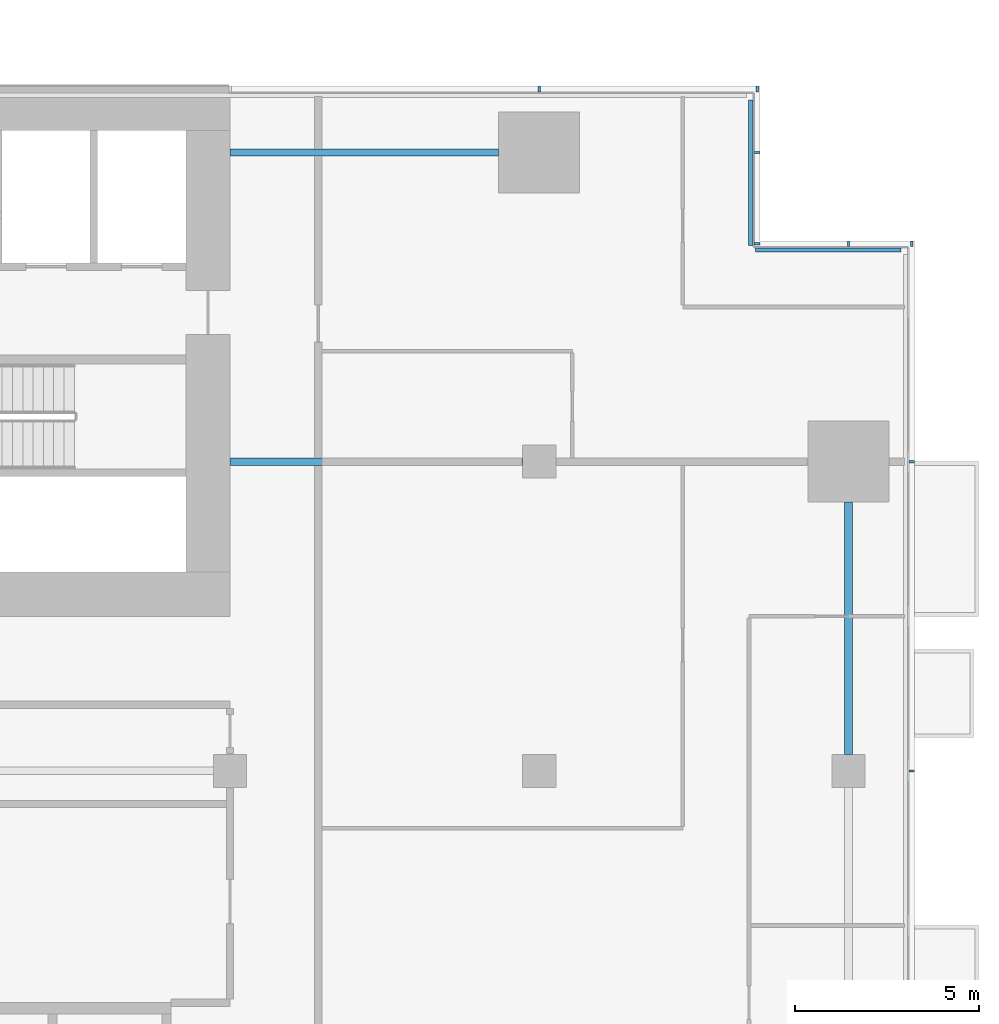
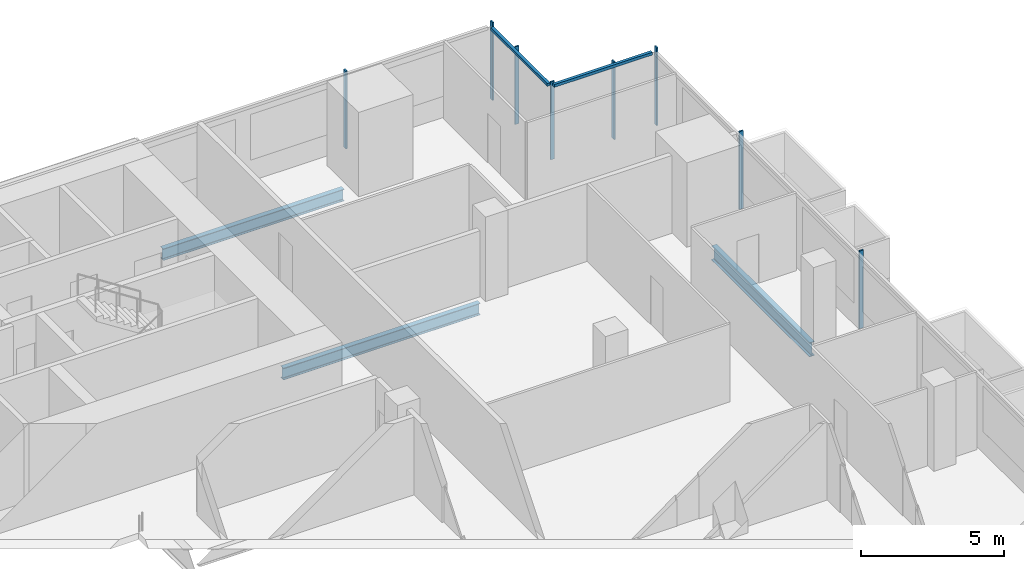
# One storey, part 13 of 27: 10 members, 3 beams, 4 elements without a shape of their own.
"""IFC4 building model written with IfcOpenShell, lengths in metres."""

from ifc_helpers import new_model, si_unit, direction, frame, origin, origin_2d, place, context, subcontext, project, spatial, rectangle, i_section, extrude, material, material_profile, profile_set, type_object, element, aggregate, save


model = new_model("IFC4")

# Units and contexts
model_context = context("Model", 3, precision=1e-05, world=origin(), true_north=direction((0.0, 1.0)))
body_context = subcontext(model_context, "Body", "Model", "MODEL_VIEW")
ifc_project = project(units=[si_unit("LENGTHUNIT", "METRE"), si_unit("AREAUNIT", "SQUARE_METRE"), si_unit("VOLUMEUNIT", "CUBIC_METRE"), si_unit("PLANEANGLEUNIT", "RADIAN"), si_unit("MASSUNIT", "GRAM", prefix="KILO")], contexts=[model_context])

# Site, building, storey
site_placement = place(None, origin())
site = spatial("IfcSite", under=ifc_project, at=site_placement, CompositionType="ELEMENT")
building_placement = place(site_placement, origin())
building = spatial("IfcBuilding", under=site, at=building_placement, Name="Saffron Gate Tower", CompositionType="ELEMENT")
storey_placement = place(building_placement, frame((0.0, 0.0, 44.39990234375)))
storey = spatial("IfcBuildingStorey", under=building, at=storey_placement, Name="L09", CompositionType="ELEMENT", Elevation=44.39990234375)

# Beams
ifc_material_1 = material(Name="Structural steel S355", Category="steel")
ifc_material_profile_1 = material_profile(ifc_material_1, i_section(OverallWidth=0.199951171875, OverallDepth=0.5, WebThickness=0.01025390625, FlangeThickness=0.01611328125, FilletRadius=0.02099609375, at=origin_2d()))
ifc_profile_set_1 = profile_set([ifc_material_profile_1], Name="Structural steel S355")
beam_type_1 = type_object("IfcBeamType", Name="B10 IPE 500", PredefinedType="BEAM", material=ifc_profile_set_1)
beam_1_placement = place(storey_placement, frame((116.550048828125, 65.39990234375, -0.52978515625), z_axis=(-1.0, 0.0, 0.0), x_axis=(0.0, -1.0, 0.0)))
element("IfcBeam", 1, at=beam_1_placement, inside=storey, type_object=beam_type_1, Name="B10 CORE TIE BEAM", PredefinedType="BEAM", context=body_context, shape_type="SweptSolid", body=[
    extrude(i_section(OverallWidth=0.199951171875, OverallDepth=0.5, WebThickness=0.01025390625, FlangeThickness=0.01611328125, FilletRadius=0.02099609375, at=origin_2d()), origin(), (0.0, 0.0, 1.0), 7.949951171875),
])
beam_2_placement = place(storey_placement, frame((115.89990234375, 73.800048828125, -0.52978515625), z_axis=(-1.0, 0.0, 0.0), x_axis=(0.0, -1.0, 0.0)))
element("IfcBeam", 2, at=beam_2_placement, inside=storey, type_object=beam_type_1, Name="B10 CORE TIE BEAM", PredefinedType="BEAM", context=body_context, shape_type="SweptSolid", body=[
    extrude(i_section(OverallWidth=0.199951171875, OverallDepth=0.5, WebThickness=0.01025390625, FlangeThickness=0.01611328125, FilletRadius=0.02099609375, at=origin_2d()), origin(), (0.0, 0.0, 1.0), 7.2998046875),
])
ifc_material_profile_2 = material_profile(ifc_material_1, i_section(OverallWidth=0.219970703125, OverallDepth=0.60009765625, WebThickness=0.011962890625, FlangeThickness=0.01904296875, FilletRadius=0.02392578125, at=origin_2d()))
ifc_profile_set_2 = profile_set([ifc_material_profile_2], Name="Structural steel S355")
beam_type_2 = type_object("IfcBeamType", Name="B16 IPE 600", PredefinedType="SPANDREL", material=ifc_profile_set_2)
beam_3_placement = place(storey_placement, frame((125.39990234375, 57.449951171875, -0.579833984375), z_axis=(0.0, 1.0, 0.0), x_axis=(-1.0, 0.0, 0.0)))
element("IfcBeam", 3, at=beam_3_placement, inside=storey, type_object=beam_type_2, Name="B16 SPANDREL BEAM", PredefinedType="SPANDREL", context=body_context, shape_type="SweptSolid", body=[
    extrude(i_section(OverallWidth=0.219970703125, OverallDepth=0.60009765625, WebThickness=0.011962890625, FlangeThickness=0.01904296875, FilletRadius=0.02392578125, at=origin_2d()), origin(), (0.0, 0.0, 1.0), 6.85009765625),
])

# Curtain wall, members
ifc_material_2 = material(Name="Aluminium, bronze anodised", Category="aluminium")
curtain_wall_type_1 = type_object("IfcCurtainWallType", Name="CWS2 curtain wall side facades", PredefinedType="NOTDEFINED", material=ifc_material_2)
curtain_wall_1_placement = place(storey_placement, origin())
curtain_wall_1 = element("IfcCurtainWall", 4, at=curtain_wall_1_placement, inside=storey, type_object=curtain_wall_type_1, Name="CWS2 run 4", PredefinedType="NOTDEFINED")
ifc_material_profile_3 = material_profile(ifc_material_2, rectangle(XDim=0.159912109375, YDim=0.06005859375, at=origin_2d()))
ifc_profile_set_3 = profile_set([ifc_material_profile_3], Name="Aluminium, bronze anodised")
member_type_1 = type_object("IfcMemberType", Name="CWS2 mullion 60x160", PredefinedType="MULLION", material=ifc_profile_set_3)
member_1_placement = place(storey_placement, frame((127.1201171875, 57.0, 0.0), z_axis=(0.0, 0.0, 1.0), x_axis=(-1.0, 0.0, 0.0)))
member_1 = element("IfcMember", 5, at=member_1_placement, type_object=member_type_1, Name="CWS2 mullion 4", PredefinedType="MULLION", context=body_context, shape_type="SweptSolid", body=[
    extrude(rectangle(XDim=0.159912109375, YDim=0.06005859375, at=origin_2d()), origin(), (0.0, 0.0, 1.0), 3.320068359375),
])
member_2_placement = place(storey_placement, frame((127.1201171875, 65.39990234375, 0.0), z_axis=(0.0, 0.0, 1.0), x_axis=(-1.0, 0.0, 0.0)))
member_2 = element("IfcMember", 6, at=member_2_placement, type_object=member_type_1, Name="CWS2 mullion 5", PredefinedType="MULLION", context=body_context, shape_type="SweptSolid", body=[
    extrude(rectangle(XDim=0.159912109375, YDim=0.06005859375, at=origin_2d()), origin(), (0.0, 0.0, 1.0), 3.320068359375),
])
aggregate(curtain_wall_1, [member_1, member_2])

curtain_wall_type_2 = type_object("IfcCurtainWallType", Name="CWS3 curtain wall rear facade", PredefinedType="NOTDEFINED", material=ifc_material_2)
curtain_wall_2_placement = place(storey_placement, origin())
curtain_wall_2 = element("IfcCurtainWall", 7, at=curtain_wall_2_placement, inside=storey, type_object=curtain_wall_type_2, Name="CWS3 run 7", PredefinedType="NOTDEFINED")
ifc_material_profile_4 = material_profile(ifc_material_2, rectangle(XDim=0.159912109375, YDim=0.070068359375, at=origin_2d()))
ifc_profile_set_4 = profile_set([ifc_material_profile_4], Name="Aluminium, bronze anodised")
member_type_2 = type_object("IfcMemberType", Name="CWS3 mullion 70x160", PredefinedType="MULLION", material=ifc_profile_set_4)
member_3_placement = place(storey_placement, frame((122.919921875, 75.52001953125, 0.0), z_axis=(0.0, 0.0, 1.0), x_axis=(0.0, -1.0, 0.0)))
member_3 = element("IfcMember", 8, at=member_3_placement, type_object=member_type_2, Name="CWS3 mullion 1", PredefinedType="MULLION", context=body_context, shape_type="SweptSolid", body=[
    extrude(rectangle(XDim=0.159912109375, YDim=0.070068359375, at=origin_2d()), origin(), (0.0, 0.0, 1.0), 3.320068359375),
])
member_4_placement = place(storey_placement, frame((117.0, 75.52001953125, 0.0), z_axis=(0.0, 0.0, 1.0), x_axis=(0.0, -1.0, 0.0)))
member_4 = element("IfcMember", 9, at=member_4_placement, type_object=member_type_2, Name="CWS3 mullion 2", PredefinedType="MULLION", context=body_context, shape_type="SweptSolid", body=[
    extrude(rectangle(XDim=0.159912109375, YDim=0.070068359375, at=origin_2d()), origin(), (0.0, 0.0, 1.0), 3.320068359375),
])
aggregate(curtain_wall_2, [member_3, member_4])

# Curtain wall, member
curtain_wall_type_3 = type_object("IfcCurtainWallType", Name="CWS4 curtain wall corner returns", PredefinedType="NOTDEFINED", material=ifc_material_2)
curtain_wall_3_placement = place(storey_placement, origin())
curtain_wall_3 = element("IfcCurtainWall", 10, at=curtain_wall_3_placement, inside=storey, type_object=curtain_wall_type_3, Name="CWS4 run 5", PredefinedType="NOTDEFINED")
ifc_material_profile_5 = material_profile(ifc_material_2, rectangle(XDim=0.1201171875, YDim=0.1201171875, at=origin_2d()))
ifc_profile_set_5 = profile_set([ifc_material_profile_5], Name="Aluminium, bronze anodised")
member_type_3 = type_object("IfcMemberType", Name="CWS4 head transom", PredefinedType="USERDEFINED", material=ifc_profile_set_5)
member_5_placement = place(storey_placement, frame((126.83203125, 71.152099609375, 3.260009765625), z_axis=(-1.0, 0.0, 0.0), x_axis=(0.0, -1.0, 0.0)))
member_5 = element("IfcMember", 11, at=member_5_placement, type_object=member_type_3, Name="CWS4 head transom", ObjectType="TRANSOM", PredefinedType="USERDEFINED", context=body_context, shape_type="SweptSolid", body=[
    extrude(rectangle(XDim=0.1201171875, YDim=0.1201171875, at=origin_2d()), origin(), (0.0, 0.0, 1.0), 3.9599609375),
])

curtain_wall_4_placement = place(storey_placement, origin())
curtain_wall_4 = element("IfcCurtainWall", 12, at=curtain_wall_4_placement, inside=storey, type_object=curtain_wall_type_3, Name="CWS4 run 6", PredefinedType="NOTDEFINED")
member_6_placement = place(storey_placement, frame((122.751953125, 71.27197265625, 3.260009765625), z_axis=(0.0, 1.0, 0.0), x_axis=(-1.0, 0.0, 0.0)))
member_6 = element("IfcMember", 13, at=member_6_placement, type_object=member_type_3, Name="CWS4 head transom", ObjectType="TRANSOM", PredefinedType="USERDEFINED", context=body_context, shape_type="SweptSolid", body=[
    extrude(rectangle(XDim=0.1201171875, YDim=0.1201171875, at=origin_2d()), origin(), (0.0, 0.0, 1.0), 3.9599609375),
])

# Member
ifc_material_profile_6 = material_profile(ifc_material_2, rectangle(XDim=0.159912109375, YDim=0.06005859375, at=origin_2d()))
ifc_profile_set_6 = profile_set([ifc_material_profile_6], Name="Aluminium, bronze anodised")
member_type_4 = type_object("IfcMemberType", Name="CWS4 mullion 60x160", PredefinedType="MULLION", material=ifc_profile_set_6)
member_7_placement = place(storey_placement, frame((127.1201171875, 71.320068359375, 0.0), z_axis=(0.0, 0.0, 1.0), x_axis=(0.0, -1.0, 0.0)))
member_7 = element("IfcMember", 14, at=member_7_placement, type_object=member_type_4, Name="CWS4 mullion 1", PredefinedType="MULLION", context=body_context, shape_type="SweptSolid", body=[
    extrude(rectangle(XDim=0.159912109375, YDim=0.06005859375, at=origin_2d()), origin(), (0.0, 0.0, 1.0), 3.320068359375),
])

member_8_placement = place(storey_placement, frame((125.39990234375, 71.320068359375, 0.0), z_axis=(0.0, 0.0, 1.0), x_axis=(0.0, -1.0, 0.0)))
member_8 = element("IfcMember", 15, at=member_8_placement, type_object=member_type_4, Name="CWS4 mullion 2", PredefinedType="MULLION", context=body_context, shape_type="SweptSolid", body=[
    extrude(rectangle(XDim=0.159912109375, YDim=0.06005859375, at=origin_2d()), origin(), (0.0, 0.0, 1.0), 3.320068359375),
])

aggregate(curtain_wall_3, [member_7, member_8, member_5])

member_9_placement = place(storey_placement, frame((122.919921875, 71.320068359375, 0.0), z_axis=(0.0, 0.0, 1.0), x_axis=(-1.0, 0.0, 0.0)))
member_9 = element("IfcMember", 16, at=member_9_placement, type_object=member_type_4, Name="CWS4 mullion 1", PredefinedType="MULLION", context=body_context, shape_type="SweptSolid", body=[
    extrude(rectangle(XDim=0.159912109375, YDim=0.06005859375, at=origin_2d()), origin(), (0.0, 0.0, 1.0), 3.320068359375),
])

member_10_placement = place(storey_placement, frame((122.919921875, 73.800048828125, 0.0), z_axis=(0.0, 0.0, 1.0), x_axis=(-1.0, 0.0, 0.0)))
member_10 = element("IfcMember", 17, at=member_10_placement, type_object=member_type_4, Name="CWS4 mullion 2", PredefinedType="MULLION", context=body_context, shape_type="SweptSolid", body=[
    extrude(rectangle(XDim=0.159912109375, YDim=0.06005859375, at=origin_2d()), origin(), (0.0, 0.0, 1.0), 3.320068359375),
])

aggregate(curtain_wall_4, [member_9, member_10, member_6])

save(model, "model.ifc")
